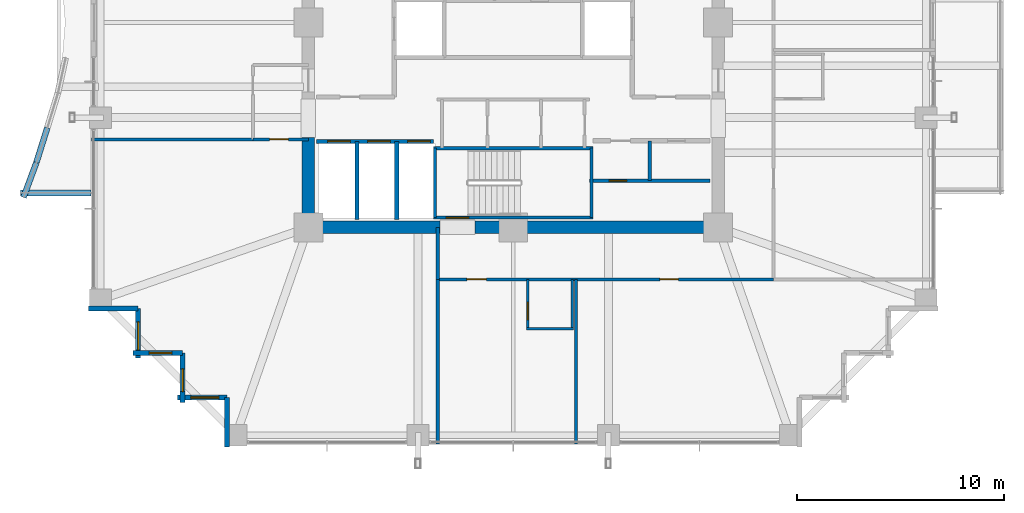
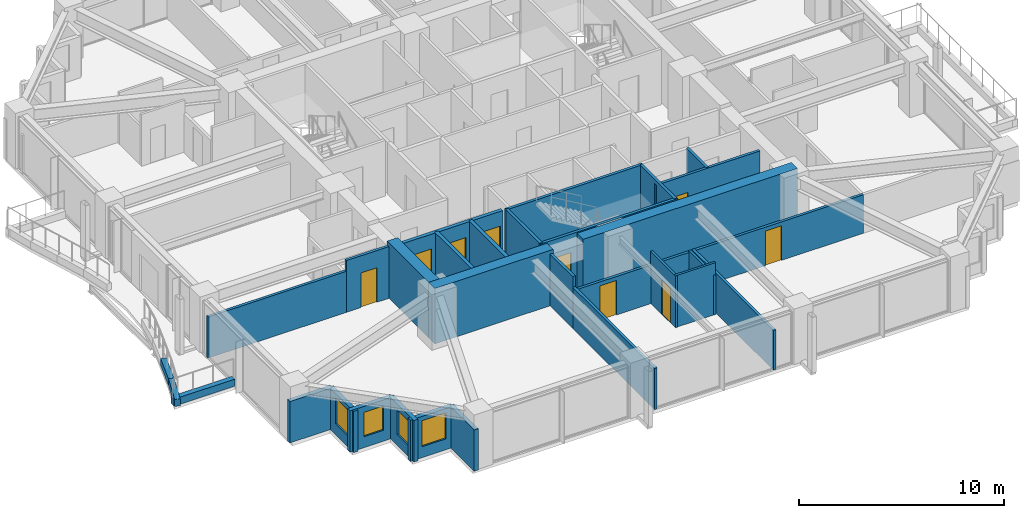
# One storey, part 31 of 37: 30 walls, 9 doors, 4 windows, 13 openings.
"""IFC4 building model written with IfcOpenShell, lengths in metres."""

from ifc_helpers import new_model, si_unit, direction, frame, frame_2d, origin, place, context, subcontext, project, spatial, rectangle, extrude, material, layer, layer_set, type_object, element, fill, save


model = new_model("IFC4")

# Units and contexts
model_context = context("Model", 3, precision=1e-05, world=origin(), true_north=direction((0.0, 1.0)))
body_context = subcontext(model_context, "Body", "Model", "MODEL_VIEW")
ifc_project = project(units=[si_unit("LENGTHUNIT", "METRE"), si_unit("AREAUNIT", "SQUARE_METRE"), si_unit("VOLUMEUNIT", "CUBIC_METRE"), si_unit("PLANEANGLEUNIT", "RADIAN"), si_unit("MASSUNIT", "GRAM", prefix="KILO")], contexts=[model_context])

# Site, building, storey
site_placement = place(None, origin())
site = spatial("IfcSite", under=ifc_project, at=site_placement, CompositionType="ELEMENT")
building_placement = place(site_placement, origin())
building = spatial("IfcBuilding", under=site, at=building_placement, Name="Kolvaren Belvedere", CompositionType="ELEMENT")
storey_placement = place(building_placement, frame((0.0, 0.0, 82.10009765625)))
storey = spatial("IfcBuildingStorey", under=building, at=storey_placement, Name="L23", CompositionType="ELEMENT", Elevation=82.10009765625)

# Walls
ifc_material_1 = material(Name="Concrete C60/75", Category="concrete")
ifc_layer_1 = layer(ifc_material_1, 0.60009765625)
ifc_layer_set_1 = layer_set([ifc_layer_1], Name="Concrete C60/75")
wall_type_1 = type_object("IfcWallType", Name="CW-CORE-600", PredefinedType="SHEAR", material=ifc_layer_set_1)
wall_1_placement = place(storey_placement, frame((10.199951171875, -9.89990234375, 0.0), z_axis=(0.0, 0.0, 1.0), x_axis=(-1.0, 0.0, 0.0)))
element("IfcWall", 1, at=wall_1_placement, inside=storey, type_object=wall_type_1, Name="L23 South Core Shear Wall 1", PredefinedType="SHEAR", context=body_context, shape_type="SweptSolid", body=[
    extrude(rectangle(XDim=12.06005859375, YDim=0.60009765625, at=frame_2d((6.030029296875, 0.0))), origin(), (0.0, 0.0, 1.0), 3.2998046875),
])
wall_2_placement = place(storey_placement, frame((-3.5400390625, -9.89990234375, 0.0), z_axis=(0.0, 0.0, 1.0), x_axis=(-1.0, 0.0, 0.0)))
element("IfcWall", 2, at=wall_2_placement, inside=storey, type_object=wall_type_1, Name="L23 South Core Shear Wall 2", PredefinedType="SHEAR", context=body_context, shape_type="SweptSolid", body=[
    extrude(rectangle(XDim=6.659912109375, YDim=0.60009765625, at=frame_2d((3.330078125, 0.0))), origin(), (0.0, 0.0, 1.0), 3.2998046875),
])
wall_3_placement = place(storey_placement, frame((-9.89990234375, -9.60009765625, 0.0), z_axis=(0.0, 0.0, 1.0), x_axis=(0.0, 1.0, 0.0)))
element("IfcWall", 3, at=wall_3_placement, inside=storey, type_object=wall_type_1, Name="L23 West Core Shear Wall 1", PredefinedType="SHEAR", context=body_context, shape_type="SweptSolid", body=[
    extrude(rectangle(XDim=4.050048828125, YDim=0.60009765625, at=frame_2d((2.02490234375, 0.0))), origin(), (0.0, 0.0, 1.0), 3.2998046875),
])

# Wall, opening, door
ifc_material_2 = material(Name="Concrete C50/60", Category="concrete")
ifc_layer_2 = layer(ifc_material_2, 0.159912109375)
ifc_layer_set_2 = layer_set([ifc_layer_2], Name="Concrete C50/60")
wall_type_2 = type_object("IfcWallType", Name="CW-STAIR-160", PredefinedType="SHEAR", material=ifc_layer_set_2)
wall_4_placement = place(storey_placement, frame((3.860107421875, -9.429931640625, 0.0), z_axis=(0.0, 0.0, 1.0), x_axis=(-1.0, 0.0, 0.0)))
wall_4 = element("IfcWall", 4, at=wall_4_placement, inside=storey, type_object=wall_type_2, Name="L23 Stair ST-3 South Shear Wall", PredefinedType="SHEAR", context=body_context, shape_type="SweptSolid", body=[
    extrude(rectangle(XDim=7.72021484375, YDim=0.159912109375, at=frame_2d((3.860107421875, 0.0))), origin(), (0.0, 0.0, 1.0), 3.2998046875),
])
opening_1_placement = place(wall_4_placement, frame((6.010009765625, 0.0, 0.0)))
opening_1 = element("IfcOpeningElement", 5, at=opening_1_placement, cuts=wall_4, Name="Opening D-FD90", PredefinedType="OPENING", context=body_context, shape_type="SweptSolid", body=[
    extrude(rectangle(XDim=1.10009765625, YDim=2.199951171875, at=frame_2d((0.550048828125, 1.10009765625))), frame((0.0, 0.08984375, 0.0), z_axis=(0.0, -1.0, 0.0), x_axis=(1.0, 0.0, 0.0)), (0.0, 0.0, 1.0), 0.179931640625),
])
ifc_material_3 = material(Name="Painted hollow stainless steel", Category="steel")
door_type_1 = type_object("IfcDoorType", Name="DR-FD90-1100", OperationType="NOTDEFINED", PredefinedType="DOOR", material=ifc_material_3)
door_1_placement = place(opening_1_placement, origin())
door_1 = element("IfcDoor", 6, at=door_1_placement, inside=storey, type_object=door_type_1, Name="L23 Stair ST-3 Exit Door", OperationType="SINGLE_SWING_RIGHT", OverallHeight=2.199951171875, OverallWidth=1.10009765625, PredefinedType="DOOR", context=body_context, shape_type="SweptSolid", body=[
    extrude(rectangle(XDim=1.10009765625, YDim=2.199951171875, at=frame_2d((0.550048828125, 1.10009765625))), frame((0.0, 0.02490234375, 0.0), z_axis=(0.0, -1.0, 0.0), x_axis=(1.0, 0.0, 0.0)), (0.0, 0.0, 1.0), 0.050048828125),
])
fill(opening_1, door_1)

# Walls
wall_5_placement = place(storey_placement, frame((-3.860107421875, -6.080078125, 0.0), z_axis=(0.0, 0.0, 1.0), x_axis=(1.0, 0.0, 0.0)))
element("IfcWall", 7, at=wall_5_placement, inside=storey, type_object=wall_type_2, Name="L23 Stair ST-3 North Shear Wall", PredefinedType="SHEAR", context=body_context, shape_type="SweptSolid", body=[
    extrude(rectangle(XDim=7.72021484375, YDim=0.159912109375, at=frame_2d((3.860107421875, 0.0))), origin(), (0.0, 0.0, 1.0), 3.2998046875),
])
for number, where, z_axis, x_axis, name in (
    (8, (-3.780029296875, -9.429931640625, 0.0), (0.0, 0.0, 1.0), (0.0, 1.0, 0.0), "L23 Stair ST-3 West Shear Wall"),
    (9, (3.780029296875, -9.429931640625, 0.0), (0.0, 0.0, 1.0), (0.0, 1.0, 0.0), "L23 Stair ST-3 East Shear Wall"),
):
    element("IfcWall", number, at=place(storey_placement, frame(where, z_axis=z_axis, x_axis=x_axis)), inside=storey, type_object=wall_type_2, Name=name, PredefinedType="SHEAR", context=body_context, shape_type="SweptSolid", body=[
        extrude(rectangle(XDim=3.349853515625, YDim=0.159912109375, at=frame_2d((1.6748046875, 0.0))), origin(), (0.0, 0.0, 1.0), 3.2998046875),
    ])

# Wall, openings, doors
ifc_material_4 = material(Name="Gypsum fire-rated partition assembly", Category="gypsum")
ifc_layer_3 = layer(ifc_material_4, 0.14990234375)
ifc_layer_set_3 = layer_set([ifc_layer_3], Name="Gypsum fire-rated partition assembly")
wall_type_3 = type_object("IfcWallType", Name="WL-CORR-150", PredefinedType="PARTITIONING", material=ifc_layer_set_3)
wall_6_placement = place(storey_placement, frame((-3.64990234375, -12.419921875, 0.0), z_axis=(0.0, 0.0, 1.0), x_axis=(1.0, 0.0, 0.0)))
wall_6 = element("IfcWall", 10, at=wall_6_placement, inside=storey, type_object=wall_type_3, Name="L23 South-East Corridor Wall", PredefinedType="PARTITIONING", context=body_context, shape_type="SweptSolid", body=[
    extrude(rectangle(XDim=16.22998046875, YDim=0.14990234375, at=frame_2d((8.114990234375, 0.0))), origin(), (0.0, 0.0, 1.0), 2.2919921875),
])
opening_2_placement = place(wall_6_placement, frame((1.404541015625, 0.0, 0.0)))
opening_2 = element("IfcOpeningElement", 11, at=opening_2_placement, cuts=wall_6, Name="Opening D-FD60", PredefinedType="OPENING", context=body_context, shape_type="SweptSolid", body=[
    extrude(rectangle(XDim=0.949951171875, YDim=2.06005859375, at=frame_2d((0.47509765625, 1.030029296875))), frame((0.0, 0.0849609375, 0.0), z_axis=(0.0, -1.0, 0.0), x_axis=(1.0, 0.0, 0.0)), (0.0, 0.0, 1.0), 0.169921875),
])
opening_3_placement = place(wall_6_placement, frame((10.735107421875, 0.0, 0.0)))
opening_3 = element("IfcOpeningElement", 12, at=opening_3_placement, cuts=wall_6, Name="Opening D-INT90", PredefinedType="OPENING", context=body_context, shape_type="SweptSolid", body=[
    extrude(rectangle(XDim=0.89990234375, YDim=2.06005859375, at=frame_2d((0.449951171875, 1.030029296875))), frame((0.0, 0.0849609375, 0.0), z_axis=(0.0, -1.0, 0.0), x_axis=(1.0, 0.0, 0.0)), (0.0, 0.0, 1.0), 0.169921875),
])
ifc_material_5 = material(Name="Acoustic white-oak fire door leaf", Category="timber")
door_type_2 = type_object("IfcDoorType", Name="DR-FD60-950", OperationType="NOTDEFINED", PredefinedType="DOOR", material=ifc_material_5)
door_2_placement = place(opening_2_placement, origin())
door_2 = element("IfcDoor", 13, at=door_2_placement, inside=storey, type_object=door_type_2, Name="L23 Deluxe King Guest Room 2310 Entry Door", OperationType="SINGLE_SWING_RIGHT", OverallHeight=2.06005859375, OverallWidth=0.949951171875, PredefinedType="DOOR", context=body_context, shape_type="SweptSolid", body=[
    extrude(rectangle(XDim=0.949951171875, YDim=2.06005859375, at=frame_2d((0.47509765625, 1.030029296875))), frame((0.0, 0.02490234375, 0.0), z_axis=(0.0, -1.0, 0.0), x_axis=(1.0, 0.0, 0.0)), (0.0, 0.0, 1.0), 0.050048828125),
])
fill(opening_2, door_2)
ifc_material_6 = material(Name="Stained Pacific white oak", Category="timber")
door_type_3 = type_object("IfcDoorType", Name="DR-INT-900", OperationType="NOTDEFINED", PredefinedType="DOOR", material=ifc_material_6)
door_3_placement = place(opening_3_placement, origin())
door_3 = element("IfcDoor", 14, at=door_3_placement, inside=storey, type_object=door_type_3, Name="L23 Lounge 2311 Door", OperationType="SINGLE_SWING_LEFT", OverallHeight=2.06005859375, OverallWidth=0.89990234375, PredefinedType="DOOR", context=body_context, shape_type="SweptSolid", body=[
    extrude(rectangle(XDim=0.89990234375, YDim=2.06005859375, at=frame_2d((0.449951171875, 1.030029296875))), frame((0.0, 0.02490234375, 0.0), z_axis=(0.0, -1.0, 0.0), x_axis=(1.0, 0.0, 0.0)), (0.0, 0.0, 1.0), 0.050048828125),
])
fill(opening_3, door_3)

# Wall
wall_7_placement = place(storey_placement, frame((-3.64990234375, -12.419921875, 0.0), z_axis=(0.0, 0.0, 1.0), x_axis=(0.0, 1.0, 0.0)))
element("IfcWall", 15, at=wall_7_placement, inside=storey, type_object=wall_type_3, Name="L23 South Spur West Closure Wall", PredefinedType="PARTITIONING", context=body_context, shape_type="SweptSolid", body=[
    extrude(rectangle(XDim=2.52001953125, YDim=0.14990234375, at=frame_2d((1.260009765625, 0.0))), origin(), (0.0, 0.0, 1.0), 3.079833984375),
])

# Wall, opening, door
wall_8_placement = place(storey_placement, frame((-12.580078125, -5.64990234375, 0.0), z_axis=(0.0, 0.0, 1.0), x_axis=(1.0, 0.0, 0.0)))
wall_8 = element("IfcWall", 16, at=wall_8_placement, inside=storey, type_object=wall_type_3, Name="L23 West Pocket South Closure Wall", PredefinedType="PARTITIONING", context=body_context, shape_type="SweptSolid", body=[
    extrude(rectangle(XDim=2.68017578125, YDim=0.14990234375, at=frame_2d((1.340087890625, 0.0))), origin(), (0.0, 0.0, 1.0), 3.079833984375),
])
opening_4_placement = place(wall_8_placement, frame((0.80615234375, 0.0, 0.0)))
opening_4 = element("IfcOpeningElement", 17, at=opening_4_placement, cuts=wall_8, Name="Opening D-INT90", PredefinedType="OPENING", context=body_context, shape_type="SweptSolid", body=[
    extrude(rectangle(XDim=0.89990234375, YDim=2.06005859375, at=frame_2d((0.449951171875, 1.030029296875))), frame((0.0, 0.0849609375, 0.0), z_axis=(0.0, -1.0, 0.0), x_axis=(1.0, 0.0, 0.0)), (0.0, 0.0, 1.0), 0.169921875),
])
door_4_placement = place(opening_4_placement, origin())
door_4 = element("IfcDoor", 18, at=door_4_placement, inside=storey, type_object=door_type_3, Name="L23 Lounge 2309 Door", OperationType="SINGLE_SWING_RIGHT", OverallHeight=2.06005859375, OverallWidth=0.89990234375, PredefinedType="DOOR", context=body_context, shape_type="SweptSolid", body=[
    extrude(rectangle(XDim=0.89990234375, YDim=2.06005859375, at=frame_2d((0.449951171875, 1.030029296875))), frame((0.0, 0.02490234375, 0.0), z_axis=(0.0, -1.0, 0.0), x_axis=(1.0, 0.0, 0.0)), (0.0, 0.0, 1.0), 0.050048828125),
])
fill(opening_4, door_4)

# Wall
ifc_material_7 = material(Name="Insulated pale-metal facade wall assembly", Category="aluminium")
ifc_layer_4 = layer(ifc_material_7, 0.239990234375)
ifc_layer_set_4 = layer_set([ifc_layer_4], Name="Insulated pale-metal facade wall assembly")
wall_type_4 = type_object("IfcWallType", Name="WL-EXT-240", PredefinedType="STANDARD", material=ifc_layer_set_4)
wall_9_placement = place(storey_placement, frame((-18.1298828125, -13.830078125, 0.0), z_axis=(0.0, 0.0, 1.0), x_axis=(-1.0, 0.0, 0.0)))
element("IfcWall", 19, at=wall_9_placement, inside=storey, type_object=wall_type_4, Name="L23 Serrated Corner Facade Wall 23", PredefinedType="STANDARD", context=body_context, shape_type="SweptSolid", body=[
    extrude(rectangle(XDim=2.39013671875, YDim=0.239990234375, at=frame_2d((1.195068359375, 0.0))), origin(), (0.0, 0.0, 1.0), 2.458984375),
])

# Wall, opening, window
wall_10_placement = place(storey_placement, frame((-18.1298828125, -16.219970703125, 0.0), z_axis=(0.0, 0.0, 1.0), x_axis=(0.0, 1.0, 0.0)))
wall_10 = element("IfcWall", 20, at=wall_10_placement, inside=storey, type_object=wall_type_4, Name="L23 Serrated Corner Facade Wall 24", PredefinedType="STANDARD", context=body_context, shape_type="SweptSolid", body=[
    extrude(rectangle(XDim=2.389892578125, YDim=0.239990234375, at=frame_2d((1.19482421875, 0.0))), origin(), (0.0, 0.0, 1.0), 2.458984375),
])
opening_5_placement = place(wall_10_placement, frame((0.39990234375, 0.0, 0.64990234375)))
opening_5 = element("IfcOpeningElement", 21, at=opening_5_placement, cuts=wall_10, Name="Opening W-1350", PredefinedType="OPENING", context=body_context, shape_type="SweptSolid", body=[
    extrude(rectangle(XDim=1.35009765625, YDim=1.550048828125, at=frame_2d((0.675048828125, 0.77490234375))), frame((0.0, 0.1298828125, 0.0), z_axis=(0.0, -1.0, 0.0), x_axis=(1.0, 0.0, 0.0)), (0.0, 0.0, 1.0), 0.260009765625),
])
ifc_material_8 = material(Name="Low-iron triple insulated glass", Category="glass")
window_type_1 = type_object("IfcWindowType", Name="WN-CORN-1350", PartitioningType="SINGLE_PANEL", PredefinedType="WINDOW", material=ifc_material_8)
window_1_placement = place(opening_5_placement, origin())
window_1 = element("IfcWindow", 22, at=window_1_placement, inside=storey, type_object=window_type_1, Name="L23 Serrated Corner Vision Window 24", OverallHeight=1.550048828125, OverallWidth=1.35009765625, PartitioningType="SINGLE_PANEL", PredefinedType="WINDOW", context=body_context, shape_type="SweptSolid", body=[
    extrude(rectangle(XDim=1.35009765625, YDim=1.550048828125, at=frame_2d((0.675048828125, 0.77490234375))), frame((0.0, 0.030029296875, 0.0), z_axis=(0.0, -1.0, 0.0), x_axis=(1.0, 0.0, 0.0)), (0.0, 0.0, 1.0), 0.06005859375),
])
fill(opening_5, window_1)

wall_11_placement = place(storey_placement, frame((-15.97998046875, -15.97998046875, 0.0), z_axis=(0.0, 0.0, 1.0), x_axis=(-1.0, 0.0, 0.0)))
wall_11 = element("IfcWall", 23, at=wall_11_placement, inside=storey, type_object=wall_type_4, Name="L23 Serrated Corner Facade Wall 25", PredefinedType="STANDARD", context=body_context, shape_type="SweptSolid", body=[
    extrude(rectangle(XDim=2.39013671875, YDim=0.239990234375, at=frame_2d((1.195068359375, 0.0))), origin(), (0.0, 0.0, 1.0), 2.458984375),
])
opening_6_placement = place(wall_11_placement, frame((0.52490234375, 0.0, 0.64990234375)))
opening_6 = element("IfcOpeningElement", 24, at=opening_6_placement, cuts=wall_11, Name="Opening W-1100", PredefinedType="OPENING", context=body_context, shape_type="SweptSolid", body=[
    extrude(rectangle(XDim=1.10009765625, YDim=1.449951171875, at=frame_2d((0.550048828125, 0.72509765625))), frame((0.0, 0.1298828125, 0.0), z_axis=(0.0, -1.0, 0.0), x_axis=(1.0, 0.0, 0.0)), (0.0, 0.0, 1.0), 0.260009765625),
])
ifc_material_9 = material(Name="Low-iron triple insulated glass", Category="glass")
window_type_2 = type_object("IfcWindowType", Name="WN-CORN-1100", PartitioningType="SINGLE_PANEL", PredefinedType="WINDOW", material=ifc_material_9)
window_2_placement = place(opening_6_placement, origin())
window_2 = element("IfcWindow", 25, at=window_2_placement, inside=storey, type_object=window_type_2, Name="L23 Serrated Corner Vision Window 25", OverallHeight=1.449951171875, OverallWidth=1.10009765625, PartitioningType="SINGLE_PANEL", PredefinedType="WINDOW", context=body_context, shape_type="SweptSolid", body=[
    extrude(rectangle(XDim=1.10009765625, YDim=1.449951171875, at=frame_2d((0.550048828125, 0.72509765625))), frame((0.0, 0.030029296875, 0.0), z_axis=(0.0, -1.0, 0.0), x_axis=(1.0, 0.0, 0.0)), (0.0, 0.0, 1.0), 0.06005859375),
])
fill(opening_6, window_2)

wall_12_placement = place(storey_placement, frame((-15.97998046875, -18.3701171875, 0.0), z_axis=(0.0, 0.0, 1.0), x_axis=(0.0, 1.0, 0.0)))
wall_12 = element("IfcWall", 26, at=wall_12_placement, inside=storey, type_object=wall_type_4, Name="L23 Serrated Corner Facade Wall 26", PredefinedType="STANDARD", context=body_context, shape_type="SweptSolid", body=[
    extrude(rectangle(XDim=2.39013671875, YDim=0.239990234375, at=frame_2d((1.195068359375, 0.0))), origin(), (0.0, 0.0, 1.0), 2.458984375),
])
opening_7_placement = place(wall_12_placement, frame((0.52490234375, 0.0, 0.64990234375)))
opening_7 = element("IfcOpeningElement", 27, at=opening_7_placement, cuts=wall_12, Name="Opening W-1100", PredefinedType="OPENING", context=body_context, shape_type="SweptSolid", body=[
    extrude(rectangle(XDim=1.10009765625, YDim=1.449951171875, at=frame_2d((0.550048828125, 0.72509765625))), frame((0.0, 0.1298828125, 0.0), z_axis=(0.0, -1.0, 0.0), x_axis=(1.0, 0.0, 0.0)), (0.0, 0.0, 1.0), 0.260009765625),
])
window_3_placement = place(opening_7_placement, origin())
window_3 = element("IfcWindow", 28, at=window_3_placement, inside=storey, type_object=window_type_2, Name="L23 Serrated Corner Vision Window 26", OverallHeight=1.449951171875, OverallWidth=1.10009765625, PartitioningType="SINGLE_PANEL", PredefinedType="WINDOW", context=body_context, shape_type="SweptSolid", body=[
    extrude(rectangle(XDim=1.10009765625, YDim=1.449951171875, at=frame_2d((0.550048828125, 0.72509765625))), frame((0.0, 0.030029296875, 0.0), z_axis=(0.0, -1.0, 0.0), x_axis=(1.0, 0.0, 0.0)), (0.0, 0.0, 1.0), 0.06005859375),
])
fill(opening_7, window_3)

wall_13_placement = place(storey_placement, frame((-13.830078125, -18.1298828125, 0.0), z_axis=(0.0, 0.0, 1.0), x_axis=(-1.0, 0.0, 0.0)))
wall_13 = element("IfcWall", 29, at=wall_13_placement, inside=storey, type_object=wall_type_4, Name="L23 Serrated Corner Facade Wall 27", PredefinedType="STANDARD", context=body_context, shape_type="SweptSolid", body=[
    extrude(rectangle(XDim=2.389892578125, YDim=0.239990234375, at=frame_2d((1.19482421875, 0.0))), origin(), (0.0, 0.0, 1.0), 2.458984375),
])
opening_8_placement = place(wall_13_placement, frame((0.39990234375, 0.0, 0.64990234375)))
opening_8 = element("IfcOpeningElement", 30, at=opening_8_placement, cuts=wall_13, Name="Opening W-1350", PredefinedType="OPENING", context=body_context, shape_type="SweptSolid", body=[
    extrude(rectangle(XDim=1.35009765625, YDim=1.550048828125, at=frame_2d((0.675048828125, 0.77490234375))), frame((0.0, 0.1298828125, 0.0), z_axis=(0.0, -1.0, 0.0), x_axis=(1.0, 0.0, 0.0)), (0.0, 0.0, 1.0), 0.260009765625),
])
window_4_placement = place(opening_8_placement, origin())
window_4 = element("IfcWindow", 31, at=window_4_placement, inside=storey, type_object=window_type_1, Name="L23 Serrated Corner Vision Window 27", OverallHeight=1.550048828125, OverallWidth=1.35009765625, PartitioningType="SINGLE_PANEL", PredefinedType="WINDOW", context=body_context, shape_type="SweptSolid", body=[
    extrude(rectangle(XDim=1.35009765625, YDim=1.550048828125, at=frame_2d((0.675048828125, 0.77490234375))), frame((0.0, 0.030029296875, 0.0), z_axis=(0.0, -1.0, 0.0), x_axis=(1.0, 0.0, 0.0)), (0.0, 0.0, 1.0), 0.06005859375),
])
fill(opening_8, window_4)

# Wall
wall_14_placement = place(storey_placement, frame((-13.830078125, -20.52001953125, 0.0), z_axis=(0.0, 0.0, 1.0), x_axis=(0.0, 1.0, 0.0)))
element("IfcWall", 32, at=wall_14_placement, inside=storey, type_object=wall_type_4, Name="L23 Serrated Corner Facade Wall 28", PredefinedType="STANDARD", context=body_context, shape_type="SweptSolid", body=[
    extrude(rectangle(XDim=2.39013671875, YDim=0.239990234375, at=frame_2d((1.195068359375, 0.0))), origin(), (0.0, 0.0, 1.0), 2.458984375),
])

# Wall, opening, door
ifc_material_10 = material(Name="Gypsum acoustic partition assembly", Category="gypsum")
ifc_layer_5 = layer(ifc_material_10, 0.14990234375)
ifc_layer_set_5 = layer_set([ifc_layer_5], Name="Gypsum acoustic partition assembly")
wall_type_5 = type_object("IfcWallType", Name="WL-PART-150", PredefinedType="PARTITIONING", material=ifc_layer_set_5)
wall_15_placement = place(storey_placement, frame((3.679931640625, -7.64990234375, 0.0), z_axis=(0.0, 0.0, 1.0), x_axis=(1.0, 0.0, 0.0)))
wall_15 = element("IfcWall", 33, at=wall_15_placement, inside=storey, type_object=wall_type_5, Name="L23 SE Core H-Divider", PredefinedType="PARTITIONING", context=body_context, shape_type="SweptSolid", body=[
    extrude(rectangle(XDim=5.840087890625, YDim=0.14990234375, at=frame_2d((2.919921875, 0.0))), origin(), (0.0, 0.0, 1.0), 3.079833984375),
])
opening_9_placement = place(wall_15_placement, frame((0.949951171875, 0.0, 0.0)))
opening_9 = element("IfcOpeningElement", 34, at=opening_9_placement, cuts=wall_15, Name="Opening D-INT85", PredefinedType="OPENING", context=body_context, shape_type="SweptSolid", body=[
    extrude(rectangle(XDim=0.85009765625, YDim=2.030029296875, at=frame_2d((0.425048828125, 1.01513671875))), frame((0.0, 0.0849609375, 0.0), z_axis=(0.0, -1.0, 0.0), x_axis=(1.0, 0.0, 0.0)), (0.0, 0.0, 1.0), 0.169921875),
])
ifc_material_11 = material(Name="Stained Pacific white oak", Category="timber")
door_type_4 = type_object("IfcDoorType", Name="DR-INT-850", OperationType="NOTDEFINED", PredefinedType="DOOR", material=ifc_material_11)
door_5_placement = place(opening_9_placement, origin())
door_5 = element("IfcDoor", 35, at=door_5_placement, inside=storey, type_object=door_type_4, Name="L23 SE Fibre Door", OperationType="SINGLE_SWING_RIGHT", OverallHeight=2.030029296875, OverallWidth=0.85009765625, PredefinedType="DOOR", context=body_context, shape_type="SweptSolid", body=[
    extrude(rectangle(XDim=0.85009765625, YDim=2.030029296875, at=frame_2d((0.425048828125, 1.01513671875))), frame((0.0, 0.02490234375, 0.0), z_axis=(0.0, -1.0, 0.0), x_axis=(1.0, 0.0, 0.0)), (0.0, 0.0, 1.0), 0.050048828125),
])
fill(opening_9, door_5)

# Walls
wall_16_placement = place(storey_placement, frame((6.60009765625, -7.64990234375, 0.0), z_axis=(0.0, 0.0, 1.0), x_axis=(0.0, 1.0, 0.0)))
element("IfcWall", 36, at=wall_16_placement, inside=storey, type_object=wall_type_5, Name="L23 SE Core V-Divider", PredefinedType="PARTITIONING", context=body_context, shape_type="SweptSolid", body=[
    extrude(rectangle(XDim=1.929931640625, YDim=0.14990234375, at=frame_2d((0.96484375, 0.0))), origin(), (0.0, 0.0, 1.0), 3.079833984375),
])
wall_17_placement = place(storey_placement, frame((-20.3798828125, -5.64990234375, 0.0), z_axis=(0.0, 0.0, 1.0), x_axis=(1.0, 0.0, 0.0)))
element("IfcWall", 37, at=wall_17_placement, inside=storey, type_object=wall_type_5, Name="L23 West Mid Suite South Wall", PredefinedType="PARTITIONING", context=body_context, shape_type="SweptSolid", body=[
    extrude(rectangle(XDim=7.7998046875, YDim=0.14990234375, at=frame_2d((3.89990234375, 0.0))), origin(), (0.0, 0.0, 1.0), 2.448974609375),
])
wall_18_placement = place(storey_placement, frame((-3.64990234375, -20.3798828125, 0.0), z_axis=(0.0, 0.0, 1.0), x_axis=(0.0, 1.0, 0.0)))
element("IfcWall", 38, at=wall_18_placement, inside=storey, type_object=wall_type_5, Name="L23 South Mid-West Wall", PredefinedType="PARTITIONING", context=body_context, shape_type="SweptSolid", body=[
    extrude(rectangle(XDim=7.9599609375, YDim=0.14990234375, at=frame_2d((3.97998046875, 0.0))), origin(), (0.0, 0.0, 1.0), 2.448974609375),
])
wall_19_placement = place(storey_placement, frame((3.0400390625, -20.3798828125, 0.0), z_axis=(0.0, 0.0, 1.0), x_axis=(0.0, 1.0, 0.0)))
element("IfcWall", 39, at=wall_19_placement, inside=storey, type_object=wall_type_5, Name="L23 South-East Suite Divider 1", PredefinedType="PARTITIONING", context=body_context, shape_type="SweptSolid", body=[
    extrude(rectangle(XDim=7.9599609375, YDim=0.14990234375, at=frame_2d((3.97998046875, 0.0))), origin(), (0.0, 0.0, 1.0), 2.368896484375),
])
ifc_material_12 = material(Name="Precast concrete C40/50", Category="concrete")
ifc_layer_6 = layer(ifc_material_12, 0.300048828125)
ifc_layer_set_6 = layer_set([ifc_layer_6], Name="Precast concrete C40/50")
wall_type_6 = type_object("IfcWallType", Name="WL-PLANTER-300", PredefinedType="PARAPET", material=ifc_layer_set_6)
wall_20_placement = place(storey_placement, frame((-22.51953125, -5.087890625, -0.0400390625), z_axis=(0.0, 0.0, 1.0), x_axis=(-0.299624691176, -0.954057149461, 0.0)))
element("IfcWall", 40, at=wall_20_placement, inside=storey, type_object=wall_type_6, Name="L23 Precast Structural Planter Wall BAL-W-9", PredefinedType="PARAPET", context=body_context, shape_type="SweptSolid", body=[
    extrude(rectangle(XDim=1.7607421875, YDim=0.280029296875, at=frame_2d((0.88037109375, 0.0))), origin(), (0.0, 0.0, 1.0), 0.419921875),
])
wall_21_placement = place(storey_placement, frame((-23.0498046875, -6.775390625, -0.0400390625), z_axis=(0.0, 0.0, 1.0), x_axis=(-0.346292864983, -0.938126458246, 0.0)))
element("IfcWall", 41, at=wall_21_placement, inside=storey, type_object=wall_type_6, Name="L23 Precast Structural Planter Wall BAL-W-10", PredefinedType="PARAPET", context=body_context, shape_type="SweptSolid", body=[
    extrude(rectangle(XDim=1.790771484375, YDim=0.280029296875, at=frame_2d((0.8955078125, 0.0))), origin(), (0.0, 0.0, 1.0), 0.419921875),
])
wall_22_placement = place(storey_placement, frame((-23.820068359375, -8.239990234375, -0.0400390625), z_axis=(0.0, 0.0, 1.0), x_axis=(1.0, 0.0, 0.0)))
element("IfcWall", 42, at=wall_22_placement, inside=storey, type_object=wall_type_6, Name="L23 Precast Structural Planter Wall BAL-W-11", PredefinedType="PARAPET", context=body_context, shape_type="SweptSolid", body=[
    extrude(rectangle(XDim=3.420166015625, YDim=0.280029296875, at=frame_2d((1.7099609375, 0.0))), origin(), (0.0, 0.0, 1.0), 0.419921875),
])

# Wall, openings, doors
ifc_material_13 = material(Name="Concrete C50/60", Category="concrete")
ifc_layer_7 = layer(ifc_material_13, 0.199951171875)
ifc_layer_set_7 = layer_set([ifc_layer_7], Name="Concrete C50/60")
wall_type_7 = type_object("IfcWallType", Name="WL-SHAFT-200", PredefinedType="SOLIDWALL", material=ifc_layer_set_7)
wall_23_placement = place(storey_placement, frame((-9.52001953125, -5.75, 0.0), z_axis=(0.0, 0.0, 1.0), x_axis=(1.0, 0.0, 0.0)))
wall_23 = element("IfcWall", 43, at=wall_23_placement, inside=storey, type_object=wall_type_7, Name="L23 Mid-Rise Lift Bank Front Wall", PredefinedType="SOLIDWALL", context=body_context, shape_type="SweptSolid", body=[
    extrude(rectangle(XDim=5.659912109375, YDim=0.199951171875, at=frame_2d((2.830078125, 0.0))), origin(), (0.0, 0.0, 1.0), 3.079833984375),
])
opening_10_placement = place(wall_23_placement, frame((0.550048828125, 0.0, 0.0)))
opening_10 = element("IfcOpeningElement", 44, at=opening_10_placement, cuts=wall_23, Name="Opening LD-11", PredefinedType="OPENING", context=body_context, shape_type="SweptSolid", body=[
    extrude(rectangle(XDim=1.10009765625, YDim=2.199951171875, at=frame_2d((0.550048828125, 1.10009765625))), frame((0.0, 0.10986328125, 0.0), z_axis=(0.0, -1.0, 0.0), x_axis=(1.0, 0.0, 0.0)), (0.0, 0.0, 1.0), 0.219970703125),
])
opening_11_placement = place(wall_23_placement, frame((2.47998046875, 0.0, 0.0)))
opening_11 = element("IfcOpeningElement", 45, at=opening_11_placement, cuts=wall_23, Name="Opening LD-11", PredefinedType="OPENING", context=body_context, shape_type="SweptSolid", body=[
    extrude(rectangle(XDim=1.10009765625, YDim=2.199951171875, at=frame_2d((0.550048828125, 1.10009765625))), frame((0.0, 0.10986328125, 0.0), z_axis=(0.0, -1.0, 0.0), x_axis=(1.0, 0.0, 0.0)), (0.0, 0.0, 1.0), 0.219970703125),
])
opening_12_placement = place(wall_23_placement, frame((4.409912109375, 0.0, 0.0)))
opening_12 = element("IfcOpeningElement", 46, at=opening_12_placement, cuts=wall_23, Name="Opening LD-11", PredefinedType="OPENING", context=body_context, shape_type="SweptSolid", body=[
    extrude(rectangle(XDim=1.10009765625, YDim=2.199951171875, at=frame_2d((0.550048828125, 1.10009765625))), frame((0.0, 0.10986328125, 0.0), z_axis=(0.0, -1.0, 0.0), x_axis=(1.0, 0.0, 0.0)), (0.0, 0.0, 1.0), 0.219970703125),
])
ifc_material_14 = material(Name="Brushed stainless steel", Category="steel")
door_type_5 = type_object("IfcDoorType", Name="DR-LIFT-1100", OperationType="DOUBLE_DOOR_SLIDING", PredefinedType="DOOR", material=ifc_material_14)
door_6_placement = place(opening_10_placement, origin())
door_6 = element("IfcDoor", 47, at=door_6_placement, inside=storey, type_object=door_type_5, Name="L23 Passenger Lift P4 Landing Door", OperationType="DOUBLE_DOOR_SLIDING", OverallHeight=2.199951171875, OverallWidth=1.10009765625, PredefinedType="DOOR", context=body_context, shape_type="SweptSolid", body=[
    extrude(rectangle(XDim=1.10009765625, YDim=2.199951171875, at=frame_2d((0.550048828125, 1.10009765625))), frame((0.0, 0.02490234375, 0.0), z_axis=(0.0, -1.0, 0.0), x_axis=(1.0, 0.0, 0.0)), (0.0, 0.0, 1.0), 0.050048828125),
])
fill(opening_10, door_6)
door_7_placement = place(opening_11_placement, origin())
door_7 = element("IfcDoor", 48, at=door_7_placement, inside=storey, type_object=door_type_5, Name="L23 Passenger Lift P5 Landing Door", OperationType="DOUBLE_DOOR_SLIDING", OverallHeight=2.199951171875, OverallWidth=1.10009765625, PredefinedType="DOOR", context=body_context, shape_type="SweptSolid", body=[
    extrude(rectangle(XDim=1.10009765625, YDim=2.199951171875, at=frame_2d((0.550048828125, 1.10009765625))), frame((0.0, 0.02490234375, 0.0), z_axis=(0.0, -1.0, 0.0), x_axis=(1.0, 0.0, 0.0)), (0.0, 0.0, 1.0), 0.050048828125),
])
fill(opening_11, door_7)
door_8_placement = place(opening_12_placement, origin())
door_8 = element("IfcDoor", 49, at=door_8_placement, inside=storey, type_object=door_type_5, Name="L23 Passenger Lift P6 Landing Door", OperationType="DOUBLE_DOOR_SLIDING", OverallHeight=2.199951171875, OverallWidth=1.10009765625, PredefinedType="DOOR", context=body_context, shape_type="SweptSolid", body=[
    extrude(rectangle(XDim=1.10009765625, YDim=2.199951171875, at=frame_2d((0.550048828125, 1.10009765625))), frame((0.0, 0.02490234375, 0.0), z_axis=(0.0, -1.0, 0.0), x_axis=(1.0, 0.0, 0.0)), (0.0, 0.0, 1.0), 0.050048828125),
])
fill(opening_12, door_8)

# Walls
for number, where, z_axis, x_axis, name in (
    (50, (-7.56005859375, -9.52001953125, 0.0), (0.0, 0.0, 1.0), (0.0, 1.0, 0.0), "L23 Mid-Rise Hoistway Divider 1"),
    (51, (-5.6298828125, -9.52001953125, 0.0), (0.0, 0.0, 1.0), (0.0, 1.0, 0.0), "L23 Mid-Rise Hoistway Divider 2"),
):
    element("IfcWall", number, at=place(storey_placement, frame(where, z_axis=z_axis, x_axis=x_axis)), inside=storey, type_object=wall_type_7, Name=name, PredefinedType="SOLIDWALL", context=body_context, shape_type="SweptSolid", body=[
        extrude(rectangle(XDim=3.77001953125, YDim=0.199951171875, at=frame_2d((1.885009765625, 0.0))), origin(), (0.0, 0.0, 1.0), 3.079833984375),
    ])

# Wall, opening, door
ifc_material_15 = material(Name="Moisture-resistant gypsum partition", Category="gypsum")
ifc_layer_8 = layer(ifc_material_15, 0.125)
ifc_layer_set_8 = layer_set([ifc_layer_8], Name="Moisture-resistant gypsum partition")
wall_type_8 = type_object("IfcWallType", Name="WL-WET-125", PredefinedType="PARTITIONING", material=ifc_layer_set_8)
wall_24_placement = place(storey_placement, frame((0.695068359375, -14.875, 0.0), z_axis=(0.0, 0.0, 1.0), x_axis=(0.0, 1.0, 0.0)))
wall_24 = element("IfcWall", 52, at=wall_24_placement, inside=storey, type_object=wall_type_8, Name="L23 Bathroom Partition PW-L23-BTH-10-E", PredefinedType="PARTITIONING", context=body_context, shape_type="SweptSolid", body=[
    extrude(rectangle(XDim=2.43994140625, YDim=0.125, at=frame_2d((1.219970703125, 0.0))), origin(), (0.0, 0.0, 1.0), 3.079833984375),
])
opening_13_placement = place(wall_24_placement, frame((0.5, 0.0, 0.0)))
opening_13 = element("IfcOpeningElement", 53, at=opening_13_placement, cuts=wall_24, Name="Opening D-BTH85", PredefinedType="OPENING", context=body_context, shape_type="SweptSolid", body=[
    extrude(rectangle(XDim=0.85009765625, YDim=2.030029296875, at=frame_2d((0.425048828125, 1.01513671875))), frame((0.0, 0.072509765625, 0.0), z_axis=(0.0, -1.0, 0.0), x_axis=(1.0, 0.0, 0.0)), (0.0, 0.0, 1.0), 0.14501953125),
])
ifc_material_16 = material(Name="Moisture-sealed Pacific white oak", Category="timber")
door_type_6 = type_object("IfcDoorType", Name="DR-BATH-850", OperationType="NOTDEFINED", PredefinedType="DOOR", material=ifc_material_16)
door_9_placement = place(opening_13_placement, origin())
door_9 = element("IfcDoor", 54, at=door_9_placement, inside=storey, type_object=door_type_6, Name="L23 En-Suite Bathroom 2310 Door", OperationType="SINGLE_SWING_LEFT", OverallHeight=2.030029296875, OverallWidth=0.85009765625, PredefinedType="DOOR", context=body_context, shape_type="SweptSolid", body=[
    extrude(rectangle(XDim=0.85009765625, YDim=2.030029296875, at=frame_2d((0.425048828125, 1.01513671875))), frame((0.0, 0.02490234375, 0.0), z_axis=(0.0, -1.0, 0.0), x_axis=(1.0, 0.0, 0.0)), (0.0, 0.0, 1.0), 0.050048828125),
])
fill(opening_13, door_9)

# Walls
wall_25_placement = place(storey_placement, frame((0.635009765625, -14.794921875, 0.0), z_axis=(0.0, 0.0, 1.0), x_axis=(1.0, 0.0, 0.0)))
element("IfcWall", 55, at=wall_25_placement, inside=storey, type_object=wall_type_8, Name="L23 Bathroom Partition PW-L23-BTH-10-H", PredefinedType="PARTITIONING", context=body_context, shape_type="SweptSolid", body=[
    extrude(rectangle(XDim=2.27001953125, YDim=0.125, at=frame_2d((1.135009765625, 0.0))), origin(), (0.0, 0.0, 1.0), 3.079833984375),
])
wall_26_placement = place(storey_placement, frame((2.844970703125, -14.875, 0.0), z_axis=(0.0, 0.0, 1.0), x_axis=(0.0, 1.0, 0.0)))
element("IfcWall", 56, at=wall_26_placement, inside=storey, type_object=wall_type_8, Name="L23 Bathroom Partition PW-L23-BTH-10-W", PredefinedType="PARTITIONING", context=body_context, shape_type="SweptSolid", body=[
    extrude(rectangle(XDim=2.43994140625, YDim=0.125, at=frame_2d((1.219970703125, 0.0))), origin(), (0.0, 0.0, 1.0), 2.368896484375),
])

save(model, "model.ifc")
